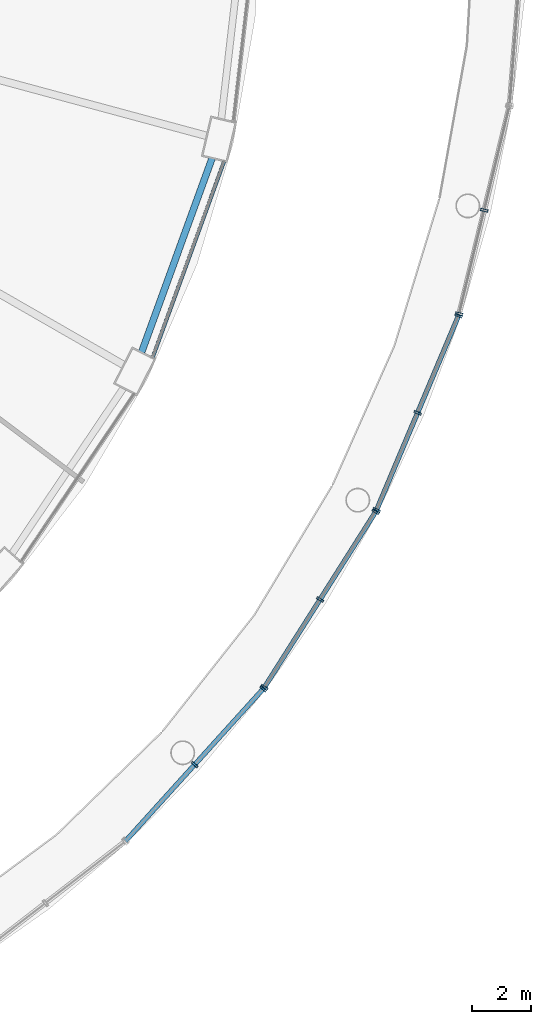
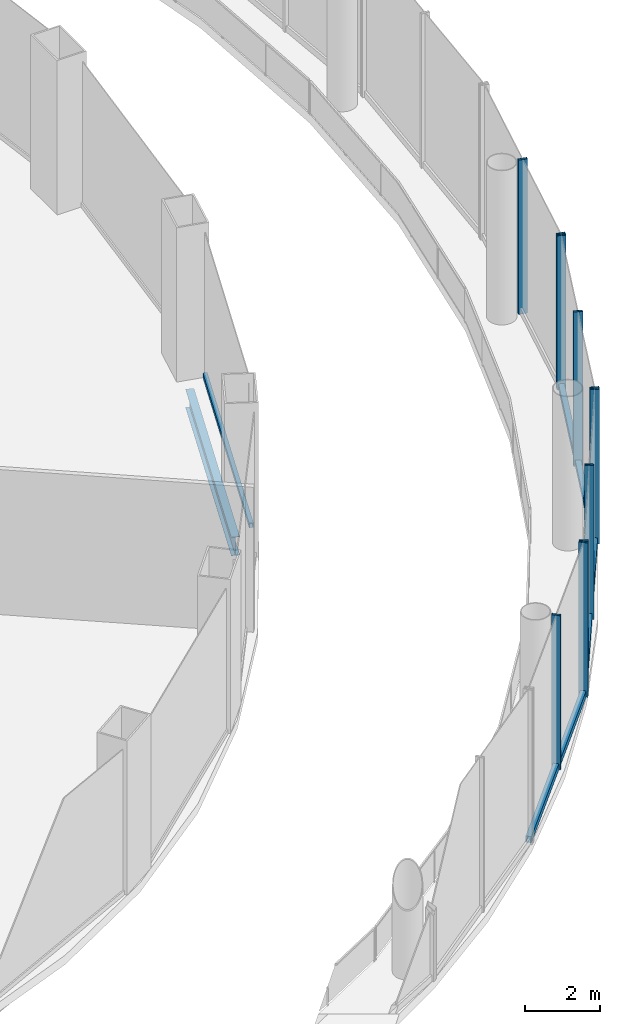
# One storey, part 24 of 47: 14 members, 1 beam, 5 elements without a shape of their own.
"""IFC4 building model written with IfcOpenShell, lengths in metres."""

from ifc_helpers import new_model, si_unit, direction, frame, origin, origin_2d, place, context, subcontext, project, spatial, hollow_rectangle, i_section, extrude, material, layer, layer_set, material_profile, profile_set, type_object, element, aggregate, save


model = new_model("IFC4")

# Units and contexts
model_context = context("Model", 3, precision=1e-05, world=origin(), true_north=direction((0.0, 1.0)))
body_context = subcontext(model_context, "Body", "Model", "MODEL_VIEW")
ifc_project = project(units=[si_unit("LENGTHUNIT", "METRE"), si_unit("AREAUNIT", "SQUARE_METRE"), si_unit("VOLUMEUNIT", "CUBIC_METRE"), si_unit("PLANEANGLEUNIT", "RADIAN"), si_unit("MASSUNIT", "GRAM", prefix="KILO")], contexts=[model_context])

# Site, building, storey
site_placement = place(None, origin())
site = spatial("IfcSite", under=ifc_project, at=site_placement, CompositionType="ELEMENT")
building_placement = place(site_placement, origin())
building = spatial("IfcBuilding", under=site, at=building_placement, Name="Nagisa Residences", CompositionType="ELEMENT")
storey_placement = place(building_placement, frame((0.0, 0.0, 7.0)))
storey = spatial("IfcBuildingStorey", under=building, at=storey_placement, Name="L01", CompositionType="ELEMENT", Elevation=7.0)

# Curtain wall, members
ifc_material_1 = material(Name="Stainless steel curtain wall system", Category="steel")
ifc_layer_1 = layer(ifc_material_1, 0.159912109375)
ifc_layer_set_1 = layer_set([ifc_layer_1], Name="CW3 CURTAIN WALL")
curtain_wall_type_1 = type_object("IfcCurtainWallType", Name="CW3 CURTAIN WALL", PredefinedType="NOTDEFINED", material=ifc_layer_set_1)
curtain_wall_1_placement = place(storey_placement, origin())
curtain_wall_1 = element("IfcCurtainWall", 1, at=curtain_wall_1_placement, inside=storey, type_object=curtain_wall_type_1, Name="cw:CW3:L01:31", PredefinedType="NOTDEFINED")
ifc_material_2 = material(Name="Stainless steel", Category="steel")
ifc_material_profile_1 = material_profile(ifc_material_2, hollow_rectangle(XDim=0.25, YDim=0.080078125, WallThickness=0.008056640625, at=origin_2d()), Name="CW3 MULLION 250x80")
ifc_profile_set_1 = profile_set([ifc_material_profile_1], Name="Stainless steel")
member_type_1 = type_object("IfcMemberType", Name="CW3 MULLION 250x80", PredefinedType="MULLION", material=ifc_profile_set_1)
member_1_placement = place(storey_placement, frame((30.30859375, -29.53173828125, 0.0), z_axis=(0.0, 0.0, 1.0), x_axis=(-0.741535779122, 0.670913323971, 0.0)))
member_1 = element("IfcMember", 2, at=member_1_placement, type_object=member_type_1, Name="CW3 mullion", PredefinedType="MULLION", context=body_context, shape_type="SweptSolid", body=[
    extrude(hollow_rectangle(XDim=0.25, YDim=0.080078125, WallThickness=0.008056640625, at=origin_2d()), origin(), (0.0, 0.0, 1.0), 5.0),
])
member_2_placement = place(storey_placement, frame((32.62353515625, -26.97314453125, 0.0), z_axis=(0.0, 0.0, 1.0), x_axis=(-0.741535779122, 0.670913323971, 0.0)))
member_2 = element("IfcMember", 3, at=member_2_placement, type_object=member_type_1, Name="CW3 mullion", PredefinedType="MULLION", context=body_context, shape_type="SweptSolid", body=[
    extrude(hollow_rectangle(XDim=0.25, YDim=0.080078125, WallThickness=0.008056640625, at=origin_2d()), origin(), (0.0, 0.0, 1.0), 5.0),
])

curtain_wall_2_placement = place(storey_placement, origin())
curtain_wall_2 = element("IfcCurtainWall", 4, at=curtain_wall_2_placement, inside=storey, type_object=curtain_wall_type_1, Name="cw:CW3:L01:32", PredefinedType="NOTDEFINED")
member_3_placement = place(storey_placement, frame((32.66357421875, -26.92041015625, 0.0), z_axis=(0.0, 0.0, 1.0), x_axis=(-0.844747368001, 0.535165286856, 0.0)))
member_3 = element("IfcMember", 5, at=member_3_placement, type_object=member_type_1, Name="CW3 mullion", PredefinedType="MULLION", context=body_context, shape_type="SweptSolid", body=[
    extrude(hollow_rectangle(XDim=0.25, YDim=0.080078125, WallThickness=0.008056640625, at=origin_2d()), origin(), (0.0, 0.0, 1.0), 5.0),
])
member_4_placement = place(storey_placement, frame((34.541748046875, -23.955810546875, 0.0), z_axis=(0.0, 0.0, 1.0), x_axis=(-0.844747368001, 0.535165286856, 0.0)))
member_4 = element("IfcMember", 6, at=member_4_placement, type_object=member_type_1, Name="CW3 mullion", PredefinedType="MULLION", context=body_context, shape_type="SweptSolid", body=[
    extrude(hollow_rectangle(XDim=0.25, YDim=0.080078125, WallThickness=0.008056640625, at=origin_2d()), origin(), (0.0, 0.0, 1.0), 5.0),
])
member_5_placement = place(storey_placement, frame((36.419921875, -20.990966796875, 0.0), z_axis=(0.0, 0.0, 1.0), x_axis=(-0.844747368001, 0.535165286856, 0.0)))
member_5 = element("IfcMember", 7, at=member_5_placement, type_object=member_type_1, Name="CW3 mullion", PredefinedType="MULLION", context=body_context, shape_type="SweptSolid", body=[
    extrude(hollow_rectangle(XDim=0.25, YDim=0.080078125, WallThickness=0.008056640625, at=origin_2d()), origin(), (0.0, 0.0, 1.0), 5.0),
])

curtain_wall_3_placement = place(storey_placement, origin())
curtain_wall_3 = element("IfcCurtainWall", 8, at=curtain_wall_3_placement, inside=storey, type_object=curtain_wall_type_1, Name="cw:CW3:L01:33", PredefinedType="NOTDEFINED")
member_6_placement = place(storey_placement, frame((36.45068359375, -20.93212890625, 0.0), z_axis=(0.0, 0.0, 1.0), x_axis=(-0.921356767819, 0.388718029417, 0.0)))
member_6 = element("IfcMember", 9, at=member_6_placement, type_object=member_type_1, Name="CW3 mullion", PredefinedType="MULLION", context=body_context, shape_type="SweptSolid", body=[
    extrude(hollow_rectangle(XDim=0.25, YDim=0.080078125, WallThickness=0.008056640625, at=origin_2d()), origin(), (0.0, 0.0, 1.0), 5.0),
])
member_7_placement = place(storey_placement, frame((37.8349609375, -17.6513671875, 0.0), z_axis=(0.0, 0.0, 1.0), x_axis=(-0.921356767819, 0.388718029417, 0.0)))
member_7 = element("IfcMember", 10, at=member_7_placement, type_object=member_type_1, Name="CW3 mullion", PredefinedType="MULLION", context=body_context, shape_type="SweptSolid", body=[
    extrude(hollow_rectangle(XDim=0.25, YDim=0.080078125, WallThickness=0.008056640625, at=origin_2d()), origin(), (0.0, 0.0, 1.0), 5.0),
])
member_8_placement = place(storey_placement, frame((39.218994140625, -14.37060546875, 0.0), z_axis=(0.0, 0.0, 1.0), x_axis=(-0.921356767819, 0.388718029417, 0.0)))
member_8 = element("IfcMember", 11, at=member_8_placement, type_object=member_type_1, Name="CW3 mullion", PredefinedType="MULLION", context=body_context, shape_type="SweptSolid", body=[
    extrude(hollow_rectangle(XDim=0.25, YDim=0.080078125, WallThickness=0.008056640625, at=origin_2d()), origin(), (0.0, 0.0, 1.0), 5.0),
])

curtain_wall_4_placement = place(storey_placement, origin())
curtain_wall_4 = element("IfcCurtainWall", 12, at=curtain_wall_4_placement, inside=storey, type_object=curtain_wall_type_1, Name="cw:CW3:L01:34", PredefinedType="NOTDEFINED")
member_9_placement = place(storey_placement, frame((39.239990234375, -14.30712890625, 0.0), z_axis=(0.0, 0.0, 1.0), x_axis=(-0.971848775146, 0.235605514043, 0.0)))
member_9 = element("IfcMember", 13, at=member_9_placement, type_object=member_type_1, Name="CW3 mullion", PredefinedType="MULLION", context=body_context, shape_type="SweptSolid", body=[
    extrude(hollow_rectangle(XDim=0.25, YDim=0.080078125, WallThickness=0.008056640625, at=origin_2d()), origin(), (0.0, 0.0, 1.0), 5.0),
])
member_10_placement = place(storey_placement, frame((40.087646484375, -10.810302734375, 0.0), z_axis=(0.0, 0.0, 1.0), x_axis=(-0.971848775146, 0.235605514043, 0.0)))
member_10 = element("IfcMember", 14, at=member_10_placement, type_object=member_type_1, Name="CW3 mullion", PredefinedType="MULLION", context=body_context, shape_type="SweptSolid", body=[
    extrude(hollow_rectangle(XDim=0.25, YDim=0.080078125, WallThickness=0.008056640625, at=origin_2d()), origin(), (0.0, 0.0, 1.0), 5.0),
])
aggregate(curtain_wall_4, [member_9, member_10])

# Member
ifc_material_3 = material(Name="Stainless steel", Category="steel")
ifc_material_profile_2 = material_profile(ifc_material_3, hollow_rectangle(XDim=0.159912109375, YDim=0.199951171875, WallThickness=0.008056640625, at=origin_2d()), Name="CW3 TRANSOM 160x200")
ifc_profile_set_2 = profile_set([ifc_material_profile_2], Name="Stainless steel")
member_type_2 = type_object("IfcMemberType", Name="CW3 TRANSOM 160x200", PredefinedType="USERDEFINED", material=ifc_profile_set_2)
member_11_placement = place(storey_placement, frame((27.966552734375, -32.1201171875, 0.10009765625), z_axis=(0.670921565259, 0.741528322635, 0.0), x_axis=(-0.741528322635, 0.670921565259, 0.0)))
member_11 = element("IfcMember", 15, at=member_11_placement, type_object=member_type_2, Name="CW3 transom", ObjectType="TRANSOM", PredefinedType="USERDEFINED", context=body_context, shape_type="SweptSolid", body=[
    extrude(hollow_rectangle(XDim=0.159912109375, YDim=0.199951171875, WallThickness=0.008056640625, at=origin_2d()), origin(), (0.0, 0.0, 1.0), 6.981201171875),
])

aggregate(curtain_wall_1, [member_1, member_2, member_11])

member_12_placement = place(storey_placement, frame((32.64208984375, -26.954345703125, 0.10009765625), z_axis=(0.535169889444, 0.844744452147, 0.0), x_axis=(-0.844744452147, 0.535169889444, 0.0)))
member_12 = element("IfcMember", 16, at=member_12_placement, type_object=member_type_2, Name="CW3 transom", ObjectType="TRANSOM", PredefinedType="USERDEFINED", context=body_context, shape_type="SweptSolid", body=[
    extrude(hollow_rectangle(XDim=0.159912109375, YDim=0.199951171875, WallThickness=0.008056640625, at=origin_2d()), origin(), (0.0, 0.0, 1.0), 7.099365234375),
])

aggregate(curtain_wall_2, [member_3, member_4, member_5, member_12])

member_13_placement = place(storey_placement, frame((36.435302734375, -20.968994140625, 0.10009765625), z_axis=(0.388708599467, 0.921360746234, 0.0), x_axis=(-0.921360746234, 0.388708599467, 0.0)))
member_13 = element("IfcMember", 17, at=member_13_placement, type_object=member_type_2, Name="CW3 transom", ObjectType="TRANSOM", PredefinedType="USERDEFINED", context=body_context, shape_type="SweptSolid", body=[
    extrude(hollow_rectangle(XDim=0.159912109375, YDim=0.199951171875, WallThickness=0.008056640625, at=origin_2d()), origin(), (0.0, 0.0, 1.0), 7.20166015625),
])

aggregate(curtain_wall_3, [member_6, member_7, member_8, member_13])

# Curtain wall, member
ifc_material_4 = material(Name="Stainless steel curtain wall system", Category="steel")
ifc_layer_2 = layer(ifc_material_4, 0.159912109375)
ifc_layer_set_2 = layer_set([ifc_layer_2], Name="CW6 CURTAIN WALL")
curtain_wall_type_2 = type_object("IfcCurtainWallType", Name="CW6 CURTAIN WALL", PredefinedType="NOTDEFINED", material=ifc_layer_set_2)
curtain_wall_5_placement = place(storey_placement, origin())
curtain_wall_5 = element("IfcCurtainWall", 18, at=curtain_wall_5_placement, inside=storey, type_object=curtain_wall_type_2, Name="cw:CW6:L01:44", PredefinedType="NOTDEFINED")
ifc_material_5 = material(Name="Stainless steel", Category="steel")
ifc_material_profile_3 = material_profile(ifc_material_5, hollow_rectangle(XDim=0.1201171875, YDim=0.14990234375, WallThickness=0.008056640625, at=origin_2d()), Name="CW6 TRANSOM 120x150")
ifc_profile_set_3 = profile_set([ifc_material_profile_3], Name="Stainless steel")
member_type_3 = type_object("IfcMemberType", Name="CW6 TRANSOM 120x150", PredefinedType="USERDEFINED", material=ifc_profile_set_3)
member_14_placement = place(storey_placement, frame((28.87890625, -15.81494140625, 0.074951171875), z_axis=(0.342039719013, 0.939685495587, 0.0), x_axis=(-0.939685495587, 0.342039719013, 0.0)))
member_14 = element("IfcMember", 19, at=member_14_placement, type_object=member_type_3, Name="CW6 transom", ObjectType="TRANSOM", PredefinedType="USERDEFINED", context=body_context, shape_type="SweptSolid", body=[
    extrude(hollow_rectangle(XDim=0.1201171875, YDim=0.14990234375, WallThickness=0.008056640625, at=origin_2d()), origin(), (0.0, 0.0, 1.0), 7.070068359375),
])
aggregate(curtain_wall_5, [member_14])

# Beam
ifc_material_6 = material(Name="Steel ASTM A572 Gr 50", Category="steel")
ifc_material_profile_4 = material_profile(ifc_material_6, i_section(OverallWidth=0.22802734375, OverallDepth=0.60302734375, WebThickness=0.010498046875, FlangeThickness=0.014892578125, at=origin_2d()), Name="W610x101")
ifc_profile_set_4 = profile_set([ifc_material_profile_4], Name="Steel ASTM A572 Gr 50")
beam_type = type_object("IfcBeamType", Name="Perimeter ring beam W610x101", PredefinedType="BEAM", material=ifc_profile_set_4)
beam_placement = place(storey_placement, frame((28.515625, -15.60595703125, -0.6015625), z_axis=(0.341411143183, 0.939914055279, 0.0), x_axis=(-0.939914055279, 0.341411143183, 0.0)))
element("IfcBeam", 20, at=beam_placement, inside=storey, type_object=beam_type, Name="beam:L01:pb23", PredefinedType="BEAM", context=body_context, shape_type="SweptSolid", body=[
    extrude(i_section(OverallWidth=0.22802734375, OverallDepth=0.60302734375, WebThickness=0.010498046875, FlangeThickness=0.014892578125, at=origin_2d()), origin(), (0.0, 0.0, 1.0), 6.96923828125),
])

save(model, "model.ifc")
